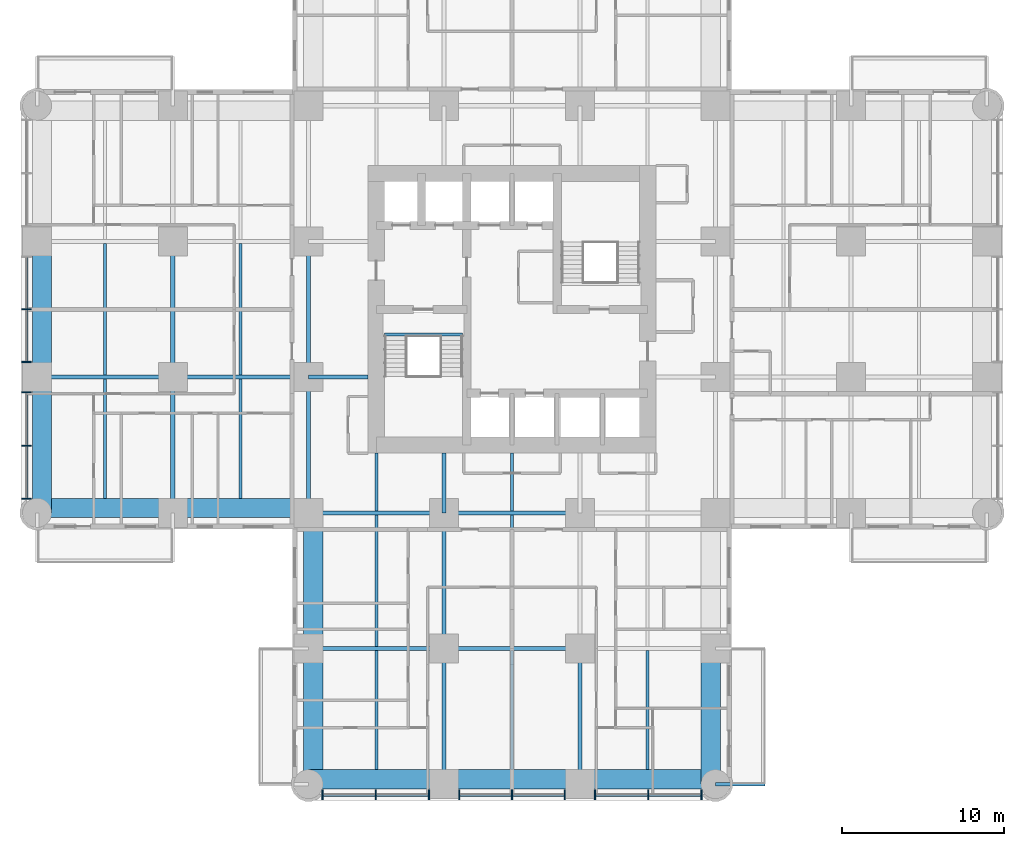
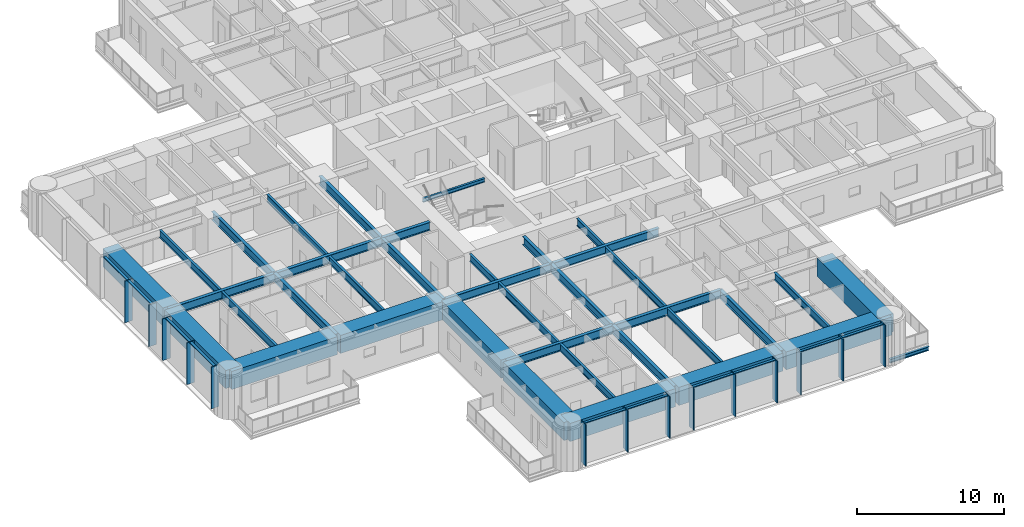
# One storey, part 2 of 17: 38 beams, 24 members, 2 elements without a shape of their own.
"""IFC4 building model written with IfcOpenShell, lengths in metres."""

from ifc_helpers import new_model, si_unit, direction, frame, origin, origin_2d, place, context, subcontext, project, spatial, rectangle, i_section, extrude, material, material_profile, profile_set, type_object, element, aggregate, save


model = new_model("IFC4")

# Units and contexts
model_context = context("Model", 3, precision=1e-05, world=origin(), true_north=direction((0.0, 1.0)))
body_context = subcontext(model_context, "Body", "Model", "MODEL_VIEW")
ifc_project = project(units=[si_unit("LENGTHUNIT", "METRE"), si_unit("AREAUNIT", "SQUARE_METRE"), si_unit("VOLUMEUNIT", "CUBIC_METRE"), si_unit("PLANEANGLEUNIT", "RADIAN"), si_unit("MASSUNIT", "GRAM", prefix="KILO")], contexts=[model_context])

# Site, building, storey
site_placement = place(None, origin())
site = spatial("IfcSite", under=ifc_project, at=site_placement, CompositionType="ELEMENT")
building_placement = place(site_placement, origin())
building = spatial("IfcBuilding", under=site, at=building_placement, Name="Torre Alcanfor", CompositionType="ELEMENT")
storey_placement = place(building_placement, frame((0.0, 0.0, 56.10009765625)))
storey = spatial("IfcBuildingStorey", under=building, at=storey_placement, Name="L13", CompositionType="ELEMENT", Elevation=56.10009765625)

# Beam
ifc_material_1 = material(Name="Steel ASTM A992 Grade 50", Category="steel")
ifc_material_profile_1 = material_profile(ifc_material_1, i_section(OverallWidth=0.205322265625, OverallDepth=0.309814453125, WebThickness=0.00927734375, FlangeThickness=0.016357421875, at=origin_2d()), Name="W12x50")
ifc_profile_set_1 = profile_set([ifc_material_profile_1], Name="Steel ASTM A992 Grade 50")
beam_type_1 = type_object("IfcBeamType", Name="Balcony cantilever beam W12x50", PredefinedType="BEAM", material=ifc_profile_set_1)
beam_1_placement = place(storey_placement, frame((42.0, 0.0, -0.35498046875), z_axis=(1.0, 0.0, 0.0), x_axis=(0.0, 1.0, 0.0)))
element("IfcBeam", 1, at=beam_1_placement, inside=storey, type_object=beam_type_1, Name="Balcony cantilever beam L13-S1 2", PredefinedType="BEAM", context=body_context, shape_type="SweptSolid", body=[
    extrude(i_section(OverallWidth=0.205322265625, OverallDepth=0.309814453125, WebThickness=0.00927734375, FlangeThickness=0.016357421875, at=origin_2d()), origin(), (0.0, 0.0, 1.0), 3.050048828125),
])

# Curtain wall, members
ifc_material_2 = material(Name="Aluminium and glass", Category="aluminium")
curtain_wall_type = type_object("IfcCurtainWallType", Name="CW-A unitised apartment glazing with vertical FIN", PredefinedType="NOTDEFINED", material=ifc_material_2)
curtain_wall_1_placement = place(storey_placement, origin())
curtain_wall_1 = element("IfcCurtainWall", 2, at=curtain_wall_1_placement, inside=storey, type_object=curtain_wall_type, Name="Curtain wall CW-A L13 2", PredefinedType="NOTDEFINED")
ifc_material_3 = material(Name="Bronze anodised aluminium", Category="aluminium")
ifc_material_profile_2 = material_profile(ifc_material_3, rectangle(XDim=0.60009765625, YDim=0.06494140625, at=origin_2d()), Name="CW-A mullion 65x600")
ifc_profile_set_2 = profile_set([ifc_material_profile_2], Name="Bronze anodised aluminium")
member_type_1 = type_object("IfcMemberType", Name="CW-A mullion with vertical FIN 65x600", PredefinedType="MULLION", material=ifc_profile_set_2)
member_1_placement = place(storey_placement, frame((-0.64990234375, 29.39990234375, 0.0), z_axis=(0.0, 0.0, 1.0), x_axis=(1.0, 0.0, 0.0)))
member_1 = element("IfcMember", 3, at=member_1_placement, type_object=member_type_1, Name="CW-A mullion 2.2", PredefinedType="MULLION", context=body_context, shape_type="SweptSolid", body=[
    extrude(rectangle(XDim=0.60009765625, YDim=0.06494140625, at=origin_2d()), origin(), (0.0, 0.0, 1.0), 3.449951171875),
])
member_2_placement = place(storey_placement, frame((-0.64990234375, 26.137451171875, 0.0), z_axis=(0.0, 0.0, 1.0), x_axis=(1.0, 0.0, 0.0)))
member_2 = element("IfcMember", 4, at=member_2_placement, type_object=member_type_1, Name="CW-A mullion 2.3", PredefinedType="MULLION", context=body_context, shape_type="SweptSolid", body=[
    extrude(rectangle(XDim=0.60009765625, YDim=0.06494140625, at=origin_2d()), origin(), (0.0, 0.0, 1.0), 3.449951171875),
])
member_3_placement = place(storey_placement, frame((-0.64990234375, 24.262451171875, 0.0), z_axis=(0.0, 0.0, 1.0), x_axis=(1.0, 0.0, 0.0)))
member_3 = element("IfcMember", 5, at=member_3_placement, type_object=member_type_1, Name="CW-A mullion 3.1", PredefinedType="MULLION", context=body_context, shape_type="SweptSolid", body=[
    extrude(rectangle(XDim=0.60009765625, YDim=0.06494140625, at=origin_2d()), origin(), (0.0, 0.0, 1.0), 3.449951171875),
])
member_4_placement = place(storey_placement, frame((-0.64990234375, 20.96484375, 0.0), z_axis=(0.0, 0.0, 1.0), x_axis=(1.0, 0.0, 0.0)))
member_4 = element("IfcMember", 6, at=member_4_placement, type_object=member_type_1, Name="CW-A mullion 3.2", PredefinedType="MULLION", context=body_context, shape_type="SweptSolid", body=[
    extrude(rectangle(XDim=0.60009765625, YDim=0.06494140625, at=origin_2d()), origin(), (0.0, 0.0, 1.0), 3.449951171875),
])
member_5_placement = place(storey_placement, frame((-0.64990234375, 17.6669921875, 0.0), z_axis=(0.0, 0.0, 1.0), x_axis=(1.0, 0.0, 0.0)))
member_5 = element("IfcMember", 7, at=member_5_placement, type_object=member_type_1, Name="CW-A mullion 3.3", PredefinedType="MULLION", context=body_context, shape_type="SweptSolid", body=[
    extrude(rectangle(XDim=0.60009765625, YDim=0.06494140625, at=origin_2d()), origin(), (0.0, 0.0, 1.0), 3.449951171875),
])

curtain_wall_2_placement = place(storey_placement, origin())
curtain_wall_2 = element("IfcCurtainWall", 8, at=curtain_wall_2_placement, inside=storey, type_object=curtain_wall_type, Name="Curtain wall CW-A L13 5", PredefinedType="NOTDEFINED")
member_6_placement = place(storey_placement, frame((17.6669921875, -0.64990234375, 0.0), z_axis=(0.0, 0.0, 1.0), x_axis=(0.0, 1.0, 0.0)))
member_6 = element("IfcMember", 9, at=member_6_placement, type_object=member_type_1, Name="CW-A mullion 1.1", PredefinedType="MULLION", context=body_context, shape_type="SweptSolid", body=[
    extrude(rectangle(XDim=0.60009765625, YDim=0.06494140625, at=origin_2d()), origin(), (0.0, 0.0, 1.0), 3.449951171875),
])
member_7_placement = place(storey_placement, frame((20.96484375, -0.64990234375, 0.0), z_axis=(0.0, 0.0, 1.0), x_axis=(0.0, 1.0, 0.0)))
member_7 = element("IfcMember", 10, at=member_7_placement, type_object=member_type_1, Name="CW-A mullion 1.2", PredefinedType="MULLION", context=body_context, shape_type="SweptSolid", body=[
    extrude(rectangle(XDim=0.60009765625, YDim=0.06494140625, at=origin_2d()), origin(), (0.0, 0.0, 1.0), 3.449951171875),
])
member_8_placement = place(storey_placement, frame((24.262451171875, -0.64990234375, 0.0), z_axis=(0.0, 0.0, 1.0), x_axis=(0.0, 1.0, 0.0)))
member_8 = element("IfcMember", 11, at=member_8_placement, type_object=member_type_1, Name="CW-A mullion 1.3", PredefinedType="MULLION", context=body_context, shape_type="SweptSolid", body=[
    extrude(rectangle(XDim=0.60009765625, YDim=0.06494140625, at=origin_2d()), origin(), (0.0, 0.0, 1.0), 3.449951171875),
])
member_9_placement = place(storey_placement, frame((26.137451171875, -0.64990234375, 0.0), z_axis=(0.0, 0.0, 1.0), x_axis=(0.0, 1.0, 0.0)))
member_9 = element("IfcMember", 12, at=member_9_placement, type_object=member_type_1, Name="CW-A mullion 2.1", PredefinedType="MULLION", context=body_context, shape_type="SweptSolid", body=[
    extrude(rectangle(XDim=0.60009765625, YDim=0.06494140625, at=origin_2d()), origin(), (0.0, 0.0, 1.0), 3.449951171875),
])
member_10_placement = place(storey_placement, frame((29.39990234375, -0.64990234375, 0.0), z_axis=(0.0, 0.0, 1.0), x_axis=(0.0, 1.0, 0.0)))
member_10 = element("IfcMember", 13, at=member_10_placement, type_object=member_type_1, Name="CW-A mullion 2.2", PredefinedType="MULLION", context=body_context, shape_type="SweptSolid", body=[
    extrude(rectangle(XDim=0.60009765625, YDim=0.06494140625, at=origin_2d()), origin(), (0.0, 0.0, 1.0), 3.449951171875),
])
member_11_placement = place(storey_placement, frame((32.66259765625, -0.64990234375, 0.0), z_axis=(0.0, 0.0, 1.0), x_axis=(0.0, 1.0, 0.0)))
member_11 = element("IfcMember", 14, at=member_11_placement, type_object=member_type_1, Name="CW-A mullion 2.3", PredefinedType="MULLION", context=body_context, shape_type="SweptSolid", body=[
    extrude(rectangle(XDim=0.60009765625, YDim=0.06494140625, at=origin_2d()), origin(), (0.0, 0.0, 1.0), 3.449951171875),
])
member_12_placement = place(storey_placement, frame((34.53759765625, -0.64990234375, 0.0), z_axis=(0.0, 0.0, 1.0), x_axis=(0.0, 1.0, 0.0)))
member_12 = element("IfcMember", 15, at=member_12_placement, type_object=member_type_1, Name="CW-A mullion 3.1", PredefinedType="MULLION", context=body_context, shape_type="SweptSolid", body=[
    extrude(rectangle(XDim=0.60009765625, YDim=0.06494140625, at=origin_2d()), origin(), (0.0, 0.0, 1.0), 3.449951171875),
])
member_13_placement = place(storey_placement, frame((37.835205078125, -0.64990234375, 0.0), z_axis=(0.0, 0.0, 1.0), x_axis=(0.0, 1.0, 0.0)))
member_13 = element("IfcMember", 16, at=member_13_placement, type_object=member_type_1, Name="CW-A mullion 3.2", PredefinedType="MULLION", context=body_context, shape_type="SweptSolid", body=[
    extrude(rectangle(XDim=0.60009765625, YDim=0.06494140625, at=origin_2d()), origin(), (0.0, 0.0, 1.0), 3.449951171875),
])
member_14_placement = place(storey_placement, frame((41.133056640625, -0.64990234375, 0.0), z_axis=(0.0, 0.0, 1.0), x_axis=(0.0, 1.0, 0.0)))
member_14 = element("IfcMember", 17, at=member_14_placement, type_object=member_type_1, Name="CW-A mullion 3.3", PredefinedType="MULLION", context=body_context, shape_type="SweptSolid", body=[
    extrude(rectangle(XDim=0.60009765625, YDim=0.06494140625, at=origin_2d()), origin(), (0.0, 0.0, 1.0), 3.449951171875),
])

# Member
ifc_material_4 = material(Name="Extruded aluminium", Category="aluminium")
ifc_material_profile_3 = material_profile(ifc_material_4, rectangle(XDim=0.199951171875, YDim=0.06494140625, at=origin_2d()), Name="CW-A transom 200x65")
ifc_profile_set_3 = profile_set([ifc_material_profile_3], Name="Extruded aluminium")
member_type_2 = type_object("IfcMemberType", Name="CW-A transom 65x200", PredefinedType="USERDEFINED", material=ifc_profile_set_3)
member_15_placement = place(storey_placement, frame((-0.64990234375, 32.6298828125, 3.41748046875), z_axis=(0.0, -1.0, 0.0), x_axis=(1.0, 0.0, 0.0)))
member_15 = element("IfcMember", 18, at=member_15_placement, type_object=member_type_2, Name="CW-A transom 2.1.2", ObjectType="TRANSOM", PredefinedType="USERDEFINED", context=body_context, shape_type="SweptSolid", body=[
    extrude(rectangle(XDim=0.199951171875, YDim=0.06494140625, at=origin_2d()), origin(), (0.0, 0.0, 1.0), 3.197265625),
])

member_16_placement = place(storey_placement, frame((-0.64990234375, 29.367431640625, 3.41748046875), z_axis=(0.0, -1.0, 0.0), x_axis=(1.0, 0.0, 0.0)))
member_16 = element("IfcMember", 19, at=member_16_placement, type_object=member_type_2, Name="CW-A transom 2.2.2", ObjectType="TRANSOM", PredefinedType="USERDEFINED", context=body_context, shape_type="SweptSolid", body=[
    extrude(rectangle(XDim=0.199951171875, YDim=0.06494140625, at=origin_2d()), origin(), (0.0, 0.0, 1.0), 3.197509765625),
])

member_17_placement = place(storey_placement, frame((-0.64990234375, 24.22998046875, 3.41748046875), z_axis=(0.0, -1.0, 0.0), x_axis=(1.0, 0.0, 0.0)))
member_17 = element("IfcMember", 20, at=member_17_placement, type_object=member_type_2, Name="CW-A transom 3.1.2", ObjectType="TRANSOM", PredefinedType="USERDEFINED", context=body_context, shape_type="SweptSolid", body=[
    extrude(rectangle(XDim=0.199951171875, YDim=0.06494140625, at=origin_2d()), origin(), (0.0, 0.0, 1.0), 3.232666015625),
])

member_18_placement = place(storey_placement, frame((-0.64990234375, 20.93212890625, 3.41748046875), z_axis=(0.0, -1.0, 0.0), x_axis=(1.0, 0.0, 0.0)))
member_18 = element("IfcMember", 21, at=member_18_placement, type_object=member_type_2, Name="CW-A transom 3.2.2", ObjectType="TRANSOM", PredefinedType="USERDEFINED", context=body_context, shape_type="SweptSolid", body=[
    extrude(rectangle(XDim=0.199951171875, YDim=0.06494140625, at=origin_2d()), origin(), (0.0, 0.0, 1.0), 3.232666015625),
])

aggregate(curtain_wall_1, [member_1, member_2, member_15, member_16, member_3, member_4, member_5, member_17, member_18])

member_19_placement = place(storey_placement, frame((17.699462890625, -0.64990234375, 3.41748046875), z_axis=(1.0, 0.0, 0.0), x_axis=(0.0, 1.0, 0.0)))
member_19 = element("IfcMember", 22, at=member_19_placement, type_object=member_type_2, Name="CW-A transom 1.1.2", ObjectType="TRANSOM", PredefinedType="USERDEFINED", context=body_context, shape_type="SweptSolid", body=[
    extrude(rectangle(XDim=0.199951171875, YDim=0.06494140625, at=origin_2d()), origin(), (0.0, 0.0, 1.0), 3.232666015625),
])

member_20_placement = place(storey_placement, frame((20.997314453125, -0.64990234375, 3.41748046875), z_axis=(1.0, 0.0, 0.0), x_axis=(0.0, 1.0, 0.0)))
member_20 = element("IfcMember", 23, at=member_20_placement, type_object=member_type_2, Name="CW-A transom 1.2.2", ObjectType="TRANSOM", PredefinedType="USERDEFINED", context=body_context, shape_type="SweptSolid", body=[
    extrude(rectangle(XDim=0.199951171875, YDim=0.06494140625, at=origin_2d()), origin(), (0.0, 0.0, 1.0), 3.232666015625),
])

member_21_placement = place(storey_placement, frame((26.169921875, -0.64990234375, 3.41748046875), z_axis=(1.0, 0.0, 0.0), x_axis=(0.0, 1.0, 0.0)))
member_21 = element("IfcMember", 24, at=member_21_placement, type_object=member_type_2, Name="CW-A transom 2.1.2", ObjectType="TRANSOM", PredefinedType="USERDEFINED", context=body_context, shape_type="SweptSolid", body=[
    extrude(rectangle(XDim=0.199951171875, YDim=0.06494140625, at=origin_2d()), origin(), (0.0, 0.0, 1.0), 3.197509765625),
])

member_22_placement = place(storey_placement, frame((29.4326171875, -0.64990234375, 3.41748046875), z_axis=(1.0, 0.0, 0.0), x_axis=(0.0, 1.0, 0.0)))
member_22 = element("IfcMember", 25, at=member_22_placement, type_object=member_type_2, Name="CW-A transom 2.2.2", ObjectType="TRANSOM", PredefinedType="USERDEFINED", context=body_context, shape_type="SweptSolid", body=[
    extrude(rectangle(XDim=0.199951171875, YDim=0.06494140625, at=origin_2d()), origin(), (0.0, 0.0, 1.0), 3.197265625),
])

member_23_placement = place(storey_placement, frame((34.570068359375, -0.64990234375, 3.41748046875), z_axis=(1.0, 0.0, 0.0), x_axis=(0.0, 1.0, 0.0)))
member_23 = element("IfcMember", 26, at=member_23_placement, type_object=member_type_2, Name="CW-A transom 3.1.2", ObjectType="TRANSOM", PredefinedType="USERDEFINED", context=body_context, shape_type="SweptSolid", body=[
    extrude(rectangle(XDim=0.199951171875, YDim=0.06494140625, at=origin_2d()), origin(), (0.0, 0.0, 1.0), 3.232666015625),
])

member_24_placement = place(storey_placement, frame((37.86767578125, -0.64990234375, 3.41748046875), z_axis=(1.0, 0.0, 0.0), x_axis=(0.0, 1.0, 0.0)))
member_24 = element("IfcMember", 27, at=member_24_placement, type_object=member_type_2, Name="CW-A transom 3.2.2", ObjectType="TRANSOM", PredefinedType="USERDEFINED", context=body_context, shape_type="SweptSolid", body=[
    extrude(rectangle(XDim=0.199951171875, YDim=0.06494140625, at=origin_2d()), origin(), (0.0, 0.0, 1.0), 3.23291015625),
])

aggregate(curtain_wall_2, [member_6, member_7, member_8, member_19, member_20, member_9, member_10, member_11, member_21, member_22, member_12, member_13, member_14, member_23, member_24])

# Beams
ifc_material_5 = material(Name="Steel ASTM A992 Grade 50", Category="steel")
ifc_material_profile_4 = material_profile(ifc_material_5, i_section(OverallWidth=0.25390625, OverallDepth=0.683349609375, WebThickness=0.012451171875, FlangeThickness=0.01904296875, at=origin_2d()), Name="W27x94")
ifc_profile_set_4 = profile_set([ifc_material_profile_4], Name="Steel ASTM A992 Grade 50")
beam_type_2 = type_object("IfcBeamType", Name="Girder W27x94", PredefinedType="BEAM", material=ifc_profile_set_4)
beam_2_placement = place(storey_placement, frame((16.800048828125, 8.39990234375, 3.108154296875), z_axis=(1.0, 0.0, 0.0), x_axis=(0.0, 1.0, 0.0)))
element("IfcBeam", 28, at=beam_2_placement, inside=storey, type_object=beam_type_2, Name="Beam 3D-4D under L14", PredefinedType="BEAM", context=body_context, shape_type="SweptSolid", body=[
    extrude(i_section(OverallWidth=0.25390625, OverallDepth=0.683349609375, WebThickness=0.012451171875, FlangeThickness=0.01904296875, at=origin_2d()), origin(), (0.0, 0.0, 1.0), 8.39990234375),
])
beam_3_placement = place(storey_placement, frame((25.199951171875, 8.39990234375, 3.108154296875), z_axis=(1.0, 0.0, 0.0), x_axis=(0.0, 1.0, 0.0)))
element("IfcBeam", 29, at=beam_3_placement, inside=storey, type_object=beam_type_2, Name="Beam 4D-5D under L14", PredefinedType="BEAM", context=body_context, shape_type="SweptSolid", body=[
    extrude(i_section(OverallWidth=0.25390625, OverallDepth=0.683349609375, WebThickness=0.012451171875, FlangeThickness=0.01904296875, at=origin_2d()), origin(), (0.0, 0.0, 1.0), 8.400146484375),
])
beam_4_placement = place(storey_placement, frame((16.800048828125, 16.800048828125, 3.108154296875), z_axis=(1.0, 0.0, 0.0), x_axis=(0.0, 1.0, 0.0)))
element("IfcBeam", 30, at=beam_4_placement, inside=storey, type_object=beam_type_2, Name="Beam 3E-4E under L14", PredefinedType="BEAM", context=body_context, shape_type="SweptSolid", body=[
    extrude(i_section(OverallWidth=0.25390625, OverallDepth=0.683349609375, WebThickness=0.012451171875, FlangeThickness=0.01904296875, at=origin_2d()), origin(), (0.0, 0.0, 1.0), 8.39990234375),
])
beam_5_placement = place(storey_placement, frame((25.199951171875, 16.800048828125, 3.108154296875), z_axis=(1.0, 0.0, 0.0), x_axis=(0.0, 1.0, 0.0)))
element("IfcBeam", 31, at=beam_5_placement, inside=storey, type_object=beam_type_2, Name="Beam 4E-5E under L14", PredefinedType="BEAM", context=body_context, shape_type="SweptSolid", body=[
    extrude(i_section(OverallWidth=0.25390625, OverallDepth=0.683349609375, WebThickness=0.012451171875, FlangeThickness=0.01904296875, at=origin_2d()), origin(), (0.0, 0.0, 1.0), 8.400146484375),
])
beam_6_placement = place(storey_placement, frame((0.0, 25.199951171875, 3.108154296875), z_axis=(1.0, 0.0, 0.0), x_axis=(0.0, 1.0, 0.0)))
element("IfcBeam", 32, at=beam_6_placement, inside=storey, type_object=beam_type_2, Name="Beam 1F-2F under L14", PredefinedType="BEAM", context=body_context, shape_type="SweptSolid", body=[
    extrude(i_section(OverallWidth=0.25390625, OverallDepth=0.683349609375, WebThickness=0.012451171875, FlangeThickness=0.01904296875, at=origin_2d()), origin(), (0.0, 0.0, 1.0), 8.39990234375),
])
beam_7_placement = place(storey_placement, frame((8.39990234375, 25.199951171875, 3.108154296875), z_axis=(1.0, 0.0, 0.0), x_axis=(0.0, 1.0, 0.0)))
element("IfcBeam", 33, at=beam_7_placement, inside=storey, type_object=beam_type_2, Name="Beam 2F-3F under L14", PredefinedType="BEAM", context=body_context, shape_type="SweptSolid", body=[
    extrude(i_section(OverallWidth=0.25390625, OverallDepth=0.683349609375, WebThickness=0.012451171875, FlangeThickness=0.01904296875, at=origin_2d()), origin(), (0.0, 0.0, 1.0), 8.400146484375),
])
beam_8_placement = place(storey_placement, frame((8.39990234375, 16.800048828125, 3.108154296875), z_axis=(0.0, 1.0, 0.0), x_axis=(-1.0, 0.0, 0.0)))
element("IfcBeam", 34, at=beam_8_placement, inside=storey, type_object=beam_type_2, Name="Beam 2E-2F under L14", PredefinedType="BEAM", context=body_context, shape_type="SweptSolid", body=[
    extrude(i_section(OverallWidth=0.25390625, OverallDepth=0.683349609375, WebThickness=0.012451171875, FlangeThickness=0.01904296875, at=origin_2d()), origin(), (0.0, 0.0, 1.0), 8.39990234375),
])
beam_9_placement = place(storey_placement, frame((8.39990234375, 25.199951171875, 3.108154296875), z_axis=(0.0, 1.0, 0.0), x_axis=(-1.0, 0.0, 0.0)))
element("IfcBeam", 35, at=beam_9_placement, inside=storey, type_object=beam_type_2, Name="Beam 2F-2G under L14", PredefinedType="BEAM", context=body_context, shape_type="SweptSolid", body=[
    extrude(i_section(OverallWidth=0.25390625, OverallDepth=0.683349609375, WebThickness=0.012451171875, FlangeThickness=0.01904296875, at=origin_2d()), origin(), (0.0, 0.0, 1.0), 8.400146484375),
])
beam_10_placement = place(storey_placement, frame((16.800048828125, 16.800048828125, 3.108154296875), z_axis=(0.0, 1.0, 0.0), x_axis=(-1.0, 0.0, 0.0)))
element("IfcBeam", 36, at=beam_10_placement, inside=storey, type_object=beam_type_2, Name="Beam 3E-3F under L14", PredefinedType="BEAM", context=body_context, shape_type="SweptSolid", body=[
    extrude(i_section(OverallWidth=0.25390625, OverallDepth=0.683349609375, WebThickness=0.012451171875, FlangeThickness=0.01904296875, at=origin_2d()), origin(), (0.0, 0.0, 1.0), 8.39990234375),
])
beam_11_placement = place(storey_placement, frame((16.800048828125, 25.199951171875, 3.108154296875), z_axis=(0.0, 1.0, 0.0), x_axis=(-1.0, 0.0, 0.0)))
element("IfcBeam", 37, at=beam_11_placement, inside=storey, type_object=beam_type_2, Name="Beam 3F-3G under L14", PredefinedType="BEAM", context=body_context, shape_type="SweptSolid", body=[
    extrude(i_section(OverallWidth=0.25390625, OverallDepth=0.683349609375, WebThickness=0.012451171875, FlangeThickness=0.01904296875, at=origin_2d()), origin(), (0.0, 0.0, 1.0), 8.400146484375),
])
beam_12_placement = place(storey_placement, frame((25.199951171875, 0.0, 3.108154296875), z_axis=(0.0, 1.0, 0.0), x_axis=(-1.0, 0.0, 0.0)))
element("IfcBeam", 38, at=beam_12_placement, inside=storey, type_object=beam_type_2, Name="Beam 4C-4D under L14", PredefinedType="BEAM", context=body_context, shape_type="SweptSolid", body=[
    extrude(i_section(OverallWidth=0.25390625, OverallDepth=0.683349609375, WebThickness=0.012451171875, FlangeThickness=0.01904296875, at=origin_2d()), origin(), (0.0, 0.0, 1.0), 8.39990234375),
])
beam_13_placement = place(storey_placement, frame((25.199951171875, 8.39990234375, 3.108154296875), z_axis=(0.0, 1.0, 0.0), x_axis=(-1.0, 0.0, 0.0)))
element("IfcBeam", 39, at=beam_13_placement, inside=storey, type_object=beam_type_2, Name="Beam 4D-4E under L14", PredefinedType="BEAM", context=body_context, shape_type="SweptSolid", body=[
    extrude(i_section(OverallWidth=0.25390625, OverallDepth=0.683349609375, WebThickness=0.012451171875, FlangeThickness=0.01904296875, at=origin_2d()), origin(), (0.0, 0.0, 1.0), 8.400146484375),
])
beam_14_placement = place(storey_placement, frame((33.60009765625, 0.0, 3.108154296875), z_axis=(0.0, 1.0, 0.0), x_axis=(-1.0, 0.0, 0.0)))
element("IfcBeam", 40, at=beam_14_placement, inside=storey, type_object=beam_type_2, Name="Beam 5C-5D under L14", PredefinedType="BEAM", context=body_context, shape_type="SweptSolid", body=[
    extrude(i_section(OverallWidth=0.25390625, OverallDepth=0.683349609375, WebThickness=0.012451171875, FlangeThickness=0.01904296875, at=origin_2d()), origin(), (0.0, 0.0, 1.0), 8.39990234375),
])
ifc_material_6 = material(Name="Steel ASTM A992 Grade 50", Category="steel")
ifc_material_profile_5 = material_profile(ifc_material_6, i_section(OverallWidth=0.25390625, OverallDepth=0.683349609375, WebThickness=0.012451171875, FlangeThickness=0.01904296875, at=origin_2d()), Name="W27x94")
ifc_profile_set_5 = profile_set([ifc_material_profile_5], Name="Steel ASTM A992 Grade 50")
beam_type_3 = type_object("IfcBeamType", Name="Girder, part bay W27x94", PredefinedType="BEAM", material=ifc_profile_set_5)
for number, where, z_axis, x_axis, name in (
    (41, (25.199951171875, 16.800048828125, 3.108154296875), (0.0, 1.0, 0.0), (-1.0, 0.0, 0.0), "Beam 4E-420_5 under L14"),
    (42, (16.800048828125, 25.199951171875, 3.108154296875), (1.0, 0.0, 0.0), (0.0, 1.0, 0.0), "Beam 3F-20_5F under L14"),
):
    element("IfcBeam", number, at=place(storey_placement, frame(where, z_axis=z_axis, x_axis=x_axis)), inside=storey, type_object=beam_type_3, Name=name, PredefinedType="BEAM", context=body_context, shape_type="SweptSolid", body=[
        extrude(i_section(OverallWidth=0.25390625, OverallDepth=0.683349609375, WebThickness=0.012451171875, FlangeThickness=0.01904296875, at=origin_2d()), origin(), (0.0, 0.0, 1.0), 3.699951171875),
    ])
ifc_material_7 = material(Name="Concrete f'c 70 MPa", Category="concrete")
ifc_material_profile_6 = material_profile(ifc_material_7, rectangle(XDim=1.199951171875, YDim=1.5, at=origin_2d()), Name="1200x1500")
ifc_profile_set_6 = profile_set([ifc_material_profile_6], Name="Concrete f'c 70 MPa")
beam_type_4 = type_object("IfcBeamType", Name="RC perimeter beam 1200x1500", PredefinedType="BEAM", material=ifc_profile_set_6)
beam_15_placement = place(storey_placement, frame((16.800048828125, 0.300048828125, 2.699951171875), z_axis=(1.0, 0.0, 0.0), x_axis=(0.0, 1.0, 0.0)))
element("IfcBeam", 43, at=beam_15_placement, inside=storey, type_object=beam_type_4, Name="Beam 3C-4C under L14", PredefinedType="BEAM", context=body_context, shape_type="SweptSolid", body=[
    extrude(rectangle(XDim=1.199951171875, YDim=1.5, at=origin_2d()), origin(), (0.0, 0.0, 1.0), 8.27294921875),
])
beam_16_placement = place(storey_placement, frame((25.326904296875, 0.300048828125, 2.699951171875), z_axis=(1.0, 0.0, 0.0), x_axis=(0.0, 1.0, 0.0)))
element("IfcBeam", 44, at=beam_16_placement, inside=storey, type_object=beam_type_4, Name="Beam 4C-5C under L14", PredefinedType="BEAM", context=body_context, shape_type="SweptSolid", body=[
    extrude(rectangle(XDim=1.199951171875, YDim=1.5, at=origin_2d()), origin(), (0.0, 0.0, 1.0), 8.14599609375),
])
for number, where, z_axis, x_axis, name in (
    (45, (33.72705078125, 0.300048828125, 2.699951171875), (1.0, 0.0, 0.0), (0.0, 1.0, 0.0), "Beam 5C-6C under L14"),
    (46, (0.0, 17.10009765625, 2.699951171875), (1.0, 0.0, 0.0), (0.0, 1.0, 0.0), "Beam 1E-2E under L14"),
):
    element("IfcBeam", number, at=place(storey_placement, frame(where, z_axis=z_axis, x_axis=x_axis)), inside=storey, type_object=beam_type_4, Name=name, PredefinedType="BEAM", context=body_context, shape_type="SweptSolid", body=[
        extrude(rectangle(XDim=1.199951171875, YDim=1.5, at=origin_2d()), origin(), (0.0, 0.0, 1.0), 8.27294921875),
    ])
beam_17_placement = place(storey_placement, frame((8.527099609375, 17.10009765625, 2.699951171875), z_axis=(1.0, 0.0, 0.0), x_axis=(0.0, 1.0, 0.0)))
element("IfcBeam", 47, at=beam_17_placement, inside=storey, type_object=beam_type_4, Name="Beam 2E-3E under L14", PredefinedType="BEAM", context=body_context, shape_type="SweptSolid", body=[
    extrude(rectangle(XDim=1.199951171875, YDim=1.5, at=origin_2d()), origin(), (0.0, 0.0, 1.0), 8.14599609375),
])
beam_18_placement = place(storey_placement, frame((0.300048828125, 16.800048828125, 2.699951171875), z_axis=(0.0, 1.0, 0.0), x_axis=(-1.0, 0.0, 0.0)))
element("IfcBeam", 48, at=beam_18_placement, inside=storey, type_object=beam_type_4, Name="Beam 1E-1F under L14", PredefinedType="BEAM", context=body_context, shape_type="SweptSolid", body=[
    extrude(rectangle(XDim=1.199951171875, YDim=1.5, at=origin_2d()), origin(), (0.0, 0.0, 1.0), 8.27294921875),
])
beam_19_placement = place(storey_placement, frame((0.300048828125, 25.326904296875, 2.699951171875), z_axis=(0.0, 1.0, 0.0), x_axis=(-1.0, 0.0, 0.0)))
element("IfcBeam", 49, at=beam_19_placement, inside=storey, type_object=beam_type_4, Name="Beam 1F-1G under L14", PredefinedType="BEAM", context=body_context, shape_type="SweptSolid", body=[
    extrude(rectangle(XDim=1.199951171875, YDim=1.5, at=origin_2d()), origin(), (0.0, 0.0, 1.0), 8.14599609375),
])
beam_20_placement = place(storey_placement, frame((17.10009765625, 0.0, 2.699951171875), z_axis=(0.0, 1.0, 0.0), x_axis=(-1.0, 0.0, 0.0)))
element("IfcBeam", 50, at=beam_20_placement, inside=storey, type_object=beam_type_4, Name="Beam 3C-3D under L14", PredefinedType="BEAM", context=body_context, shape_type="SweptSolid", body=[
    extrude(rectangle(XDim=1.199951171875, YDim=1.5, at=origin_2d()), origin(), (0.0, 0.0, 1.0), 8.27294921875),
])
beam_21_placement = place(storey_placement, frame((17.10009765625, 8.527099609375, 2.699951171875), z_axis=(0.0, 1.0, 0.0), x_axis=(-1.0, 0.0, 0.0)))
element("IfcBeam", 51, at=beam_21_placement, inside=storey, type_object=beam_type_4, Name="Beam 3D-3E under L14", PredefinedType="BEAM", context=body_context, shape_type="SweptSolid", body=[
    extrude(rectangle(XDim=1.199951171875, YDim=1.5, at=origin_2d()), origin(), (0.0, 0.0, 1.0), 8.14599609375),
])
beam_22_placement = place(storey_placement, frame((41.699951171875, 0.0, 2.699951171875), z_axis=(0.0, 1.0, 0.0), x_axis=(-1.0, 0.0, 0.0)))
element("IfcBeam", 52, at=beam_22_placement, inside=storey, type_object=beam_type_4, Name="Beam 6C-6D under L14", PredefinedType="BEAM", context=body_context, shape_type="SweptSolid", body=[
    extrude(rectangle(XDim=1.199951171875, YDim=1.5, at=origin_2d()), origin(), (0.0, 0.0, 1.0), 8.27294921875),
])
ifc_material_8 = material(Name="Steel ASTM A992 Grade 50", Category="steel")
ifc_material_profile_7 = material_profile(ifc_material_8, i_section(OverallWidth=0.1787109375, OverallDepth=0.60205078125, WebThickness=0.010986328125, FlangeThickness=0.014892578125, at=origin_2d()), Name="W24x62")
ifc_profile_set_7 = profile_set([ifc_material_profile_7], Name="Steel ASTM A992 Grade 50")
beam_type_5 = type_object("IfcBeamType", Name="Secondary beam W24x62", PredefinedType="BEAM", material=ifc_profile_set_7)
beam_23_placement = place(storey_placement, frame((4.199951171875, 17.699951171875, 3.14892578125), z_axis=(0.0, 1.0, 0.0), x_axis=(-1.0, 0.0, 0.0)))
element("IfcBeam", 53, at=beam_23_placement, inside=storey, type_object=beam_type_5, Name="Beam 4_2E-4_2F under L14", PredefinedType="BEAM", context=body_context, shape_type="SweptSolid", body=[
    extrude(i_section(OverallWidth=0.1787109375, OverallDepth=0.60205078125, WebThickness=0.010986328125, FlangeThickness=0.014892578125, at=origin_2d()), origin(), (0.0, 0.0, 1.0), 7.373046875),
])
beam_24_placement = place(storey_placement, frame((4.199951171875, 25.326904296875, 3.14892578125), z_axis=(0.0, 1.0, 0.0), x_axis=(-1.0, 0.0, 0.0)))
element("IfcBeam", 54, at=beam_24_placement, inside=storey, type_object=beam_type_5, Name="Beam 4_2F-4_2G under L14", PredefinedType="BEAM", context=body_context, shape_type="SweptSolid", body=[
    extrude(i_section(OverallWidth=0.1787109375, OverallDepth=0.60205078125, WebThickness=0.010986328125, FlangeThickness=0.014892578125, at=origin_2d()), origin(), (0.0, 0.0, 1.0), 8.14599609375),
])
beam_25_placement = place(storey_placement, frame((12.60009765625, 17.699951171875, 3.14892578125), z_axis=(0.0, 1.0, 0.0), x_axis=(-1.0, 0.0, 0.0)))
element("IfcBeam", 55, at=beam_25_placement, inside=storey, type_object=beam_type_5, Name="Beam 12_6E-12_6F under L14", PredefinedType="BEAM", context=body_context, shape_type="SweptSolid", body=[
    extrude(i_section(OverallWidth=0.1787109375, OverallDepth=0.60205078125, WebThickness=0.010986328125, FlangeThickness=0.014892578125, at=origin_2d()), origin(), (0.0, 0.0, 1.0), 7.373046875),
])
beam_26_placement = place(storey_placement, frame((12.60009765625, 25.326904296875, 3.14892578125), z_axis=(0.0, 1.0, 0.0), x_axis=(-1.0, 0.0, 0.0)))
element("IfcBeam", 56, at=beam_26_placement, inside=storey, type_object=beam_type_5, Name="Beam 12_6F-12_6G under L14", PredefinedType="BEAM", context=body_context, shape_type="SweptSolid", body=[
    extrude(i_section(OverallWidth=0.1787109375, OverallDepth=0.60205078125, WebThickness=0.010986328125, FlangeThickness=0.014892578125, at=origin_2d()), origin(), (0.0, 0.0, 1.0), 8.14599609375),
])
beam_27_placement = place(storey_placement, frame((21.0, 0.89990234375, 3.14892578125), z_axis=(0.0, 1.0, 0.0), x_axis=(-1.0, 0.0, 0.0)))
element("IfcBeam", 57, at=beam_27_placement, inside=storey, type_object=beam_type_5, Name="Beam 21C-21D under L14", PredefinedType="BEAM", context=body_context, shape_type="SweptSolid", body=[
    extrude(i_section(OverallWidth=0.1787109375, OverallDepth=0.60205078125, WebThickness=0.010986328125, FlangeThickness=0.014892578125, at=origin_2d()), origin(), (0.0, 0.0, 1.0), 7.373046875),
])
beam_28_placement = place(storey_placement, frame((21.0, 8.527099609375, 3.14892578125), z_axis=(0.0, 1.0, 0.0), x_axis=(-1.0, 0.0, 0.0)))
element("IfcBeam", 58, at=beam_28_placement, inside=storey, type_object=beam_type_5, Name="Beam 21D-21E under L14", PredefinedType="BEAM", context=body_context, shape_type="SweptSolid", body=[
    extrude(i_section(OverallWidth=0.1787109375, OverallDepth=0.60205078125, WebThickness=0.010986328125, FlangeThickness=0.014892578125, at=origin_2d()), origin(), (0.0, 0.0, 1.0), 8.14599609375),
])
beam_29_placement = place(storey_placement, frame((29.39990234375, 0.89990234375, 3.14892578125), z_axis=(0.0, 1.0, 0.0), x_axis=(-1.0, 0.0, 0.0)))
element("IfcBeam", 59, at=beam_29_placement, inside=storey, type_object=beam_type_5, Name="Beam 29_4C-29_4D under L14", PredefinedType="BEAM", context=body_context, shape_type="SweptSolid", body=[
    extrude(i_section(OverallWidth=0.1787109375, OverallDepth=0.60205078125, WebThickness=0.010986328125, FlangeThickness=0.014892578125, at=origin_2d()), origin(), (0.0, 0.0, 1.0), 7.373046875),
])
beam_30_placement = place(storey_placement, frame((29.39990234375, 8.527099609375, 3.14892578125), z_axis=(0.0, 1.0, 0.0), x_axis=(-1.0, 0.0, 0.0)))
element("IfcBeam", 60, at=beam_30_placement, inside=storey, type_object=beam_type_5, Name="Beam 29_4D-29_4E under L14", PredefinedType="BEAM", context=body_context, shape_type="SweptSolid", body=[
    extrude(i_section(OverallWidth=0.1787109375, OverallDepth=0.60205078125, WebThickness=0.010986328125, FlangeThickness=0.014892578125, at=origin_2d()), origin(), (0.0, 0.0, 1.0), 8.14599609375),
])
beam_31_placement = place(storey_placement, frame((37.800048828125, 0.89990234375, 3.14892578125), z_axis=(0.0, 1.0, 0.0), x_axis=(-1.0, 0.0, 0.0)))
element("IfcBeam", 61, at=beam_31_placement, inside=storey, type_object=beam_type_5, Name="Beam 37_8C-37_8D under L14", PredefinedType="BEAM", context=body_context, shape_type="SweptSolid", body=[
    extrude(i_section(OverallWidth=0.1787109375, OverallDepth=0.60205078125, WebThickness=0.010986328125, FlangeThickness=0.014892578125, at=origin_2d()), origin(), (0.0, 0.0, 1.0), 7.373046875),
])
ifc_material_9 = material(Name="Steel ASTM A992 Grade 50", Category="steel")
ifc_material_profile_8 = material_profile(ifc_material_9, i_section(OverallWidth=0.1787109375, OverallDepth=0.60205078125, WebThickness=0.010986328125, FlangeThickness=0.014892578125, at=origin_2d()), Name="W24x62")
ifc_profile_set_8 = profile_set([ifc_material_profile_8], Name="Steel ASTM A992 Grade 50")
beam_type_6 = type_object("IfcBeamType", Name="Secondary beam, part bay W24x62", PredefinedType="BEAM", material=ifc_profile_set_8)
for number, where, z_axis, x_axis, name in (
    (62, (21.0, 16.927001953125, 3.14892578125), (0.0, 1.0, 0.0), (-1.0, 0.0, 0.0), "Beam 21E-2120_5 under L14"),
    (63, (29.39990234375, 16.927001953125, 3.14892578125), (0.0, 1.0, 0.0), (-1.0, 0.0, 0.0), "Beam 29_4E-29_420_5 under L14"),
):
    element("IfcBeam", number, at=place(storey_placement, frame(where, z_axis=z_axis, x_axis=x_axis)), inside=storey, type_object=beam_type_6, Name=name, PredefinedType="BEAM", context=body_context, shape_type="SweptSolid", body=[
        extrude(i_section(OverallWidth=0.1787109375, OverallDepth=0.60205078125, WebThickness=0.010986328125, FlangeThickness=0.014892578125, at=origin_2d()), origin(), (0.0, 0.0, 1.0), 3.572998046875),
    ])
ifc_material_10 = material(Name="Steel ASTM A992 Grade 50", Category="steel")
ifc_material_profile_9 = material_profile(ifc_material_10, i_section(OverallWidth=0.164794921875, OverallDepth=0.309814453125, WebThickness=0.005859375, FlangeThickness=0.009765625, at=origin_2d()), Name="W12x26")
ifc_profile_set_9 = profile_set([ifc_material_profile_9], Name="Steel ASTM A992 Grade 50")
beam_type_7 = type_object("IfcBeamType", Name="Stair landing beam W12x26", PredefinedType="BEAM", material=ifc_profile_set_9)
beam_32_placement = place(storey_placement, frame((21.5, 27.83740234375, 3.244873046875), z_axis=(1.0, 0.0, 0.0), x_axis=(0.0, 1.0, 0.0)))
element("IfcBeam", 64, at=beam_32_placement, inside=storey, type_object=beam_type_7, Name="Landing trimmer S1 L14", PredefinedType="BEAM", context=body_context, shape_type="SweptSolid", body=[
    extrude(i_section(OverallWidth=0.164794921875, OverallDepth=0.309814453125, WebThickness=0.005859375, FlangeThickness=0.009765625, at=origin_2d()), origin(), (0.0, 0.0, 1.0), 4.85009765625),
])

save(model, "model.ifc")
